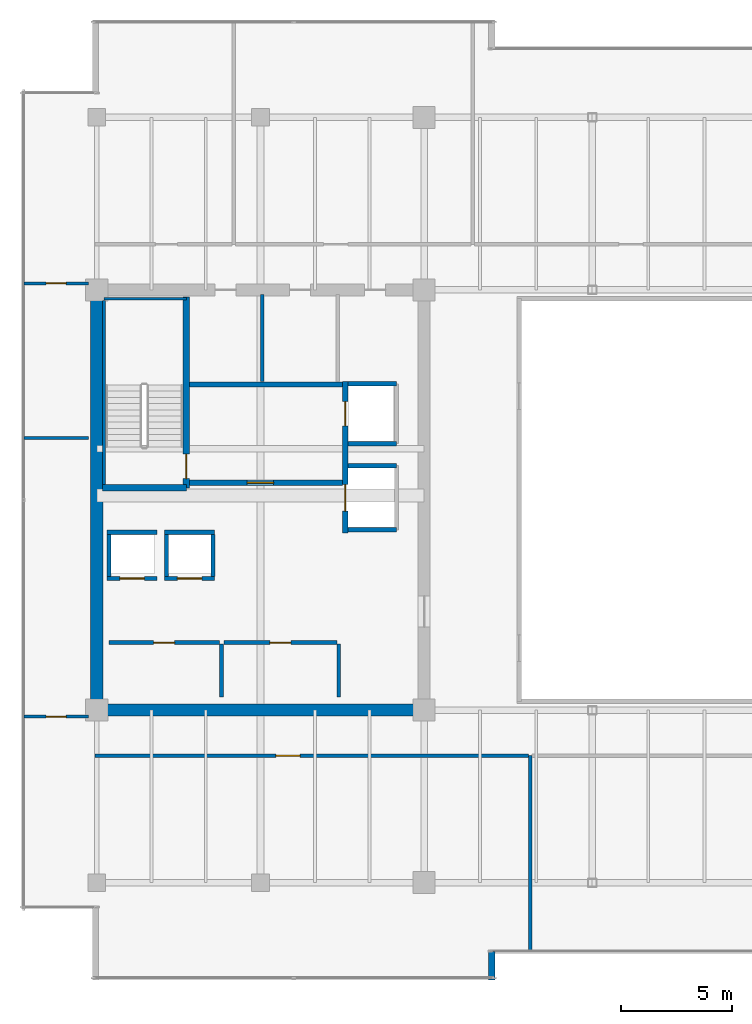
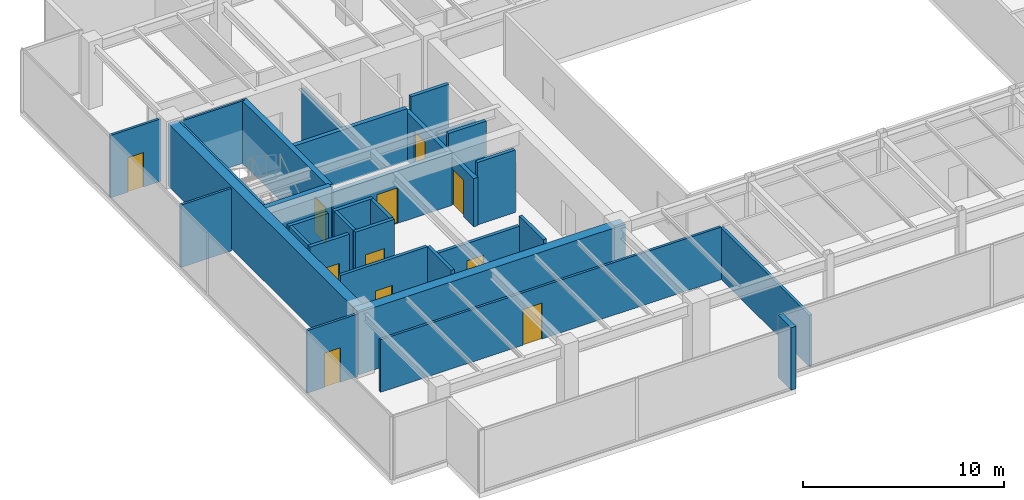
# One storey, part 28 of 33: 31 walls, 11 doors, 11 openings.
"""IFC4 building model written with IfcOpenShell, lengths in metres."""

from ifc_helpers import new_model, si_unit, direction, frame, frame_2d, origin, place, context, subcontext, project, spatial, rectangle, extrude, source, transform, mapped, material, layer, layer_set, type_object, type_shapes, element, fill, save


model = new_model("IFC4")

# Units and contexts
model_context = context("Model", 3, precision=1e-05, world=origin(), true_north=direction((0.0, 1.0)))
body_context = subcontext(model_context, "Body", "Model", "MODEL_VIEW")
ifc_project = project(units=[si_unit("LENGTHUNIT", "METRE"), si_unit("AREAUNIT", "SQUARE_METRE"), si_unit("VOLUMEUNIT", "CUBIC_METRE"), si_unit("PLANEANGLEUNIT", "RADIAN"), si_unit("MASSUNIT", "GRAM", prefix="KILO")], contexts=[model_context])

# Site, building, storey
site_placement = place(None, origin())
site = spatial("IfcSite", under=ifc_project, at=site_placement, CompositionType="ELEMENT")
building_placement = place(site_placement, origin())
building = spatial("IfcBuilding", under=site, at=building_placement, Name="Haelvirn Gate Laboratories", CompositionType="ELEMENT")
storey_placement = place(building_placement, frame((0.0, 0.0, 271.10009765625)))
storey = spatial("IfcBuildingStorey", under=building, at=storey_placement, Name="L65", CompositionType="ELEMENT", Elevation=271.10009765625)

# Walls
ifc_material_1 = material(Name="Thermally-broken bronze aluminium rainscreen & mineral wool", Category="aluminium")
ifc_layer_1 = layer(ifc_material_1, 0.280029296875, Name="EW-TERR-280")
ifc_layer_set_1 = layer_set([ifc_layer_1], Name="Thermally-broken bronze aluminium rainscreen & mineral wool")
wall_type_1 = type_object("IfcWallType", Name="EW-TERR-280", PredefinedType="STANDARD", material=ifc_layer_set_1)
wall_1_placement = place(storey_placement, frame((25.260009765625, 2.60009765625, 0.0), z_axis=(0.0, 0.0, 1.0), x_axis=(0.0, 1.0, 0.0)))
element("IfcWall", 1, at=wall_1_placement, inside=storey, type_object=wall_type_1, Name="L65 Atrium Recess Bronze Return Wall 01", PredefinedType="STANDARD", context=body_context, shape_type="SweptSolid", body=[
    extrude(rectangle(XDim=1.29296875, YDim=0.280029296875, at=frame_2d((0.646484375, 0.0))), origin(), (0.0, 0.0, 1.0), 3.7998046875),
])
ifc_material_2 = material(Name="Double-layer acoustic gypsum laboratory partition", Category="gypsum")
ifc_layer_2 = layer(ifc_material_2, 0.159912109375, Name="IW-ACOUST-160")
ifc_layer_set_2 = layer_set([ifc_layer_2], Name="Double-layer acoustic gypsum laboratory partition")
wall_type_2 = type_object("IfcWallType", Name="IW-ACOUST-160", PredefinedType="PARTITIONING", material=ifc_layer_set_2)
wall_2_placement = place(storey_placement, frame((27.0, 3.909912109375, 0.0), z_axis=(0.0, 0.0, 1.0), x_axis=(0.0, 1.0, 0.0)))
element("IfcWall", 2, at=wall_2_placement, inside=storey, type_object=wall_type_2, Name="L65 Interior Wall IW-L65-SDIV-01", PredefinedType="PARTITIONING", context=body_context, shape_type="SweptSolid", body=[
    extrude(rectangle(XDim=8.830078125, YDim=0.159912109375, at=frame_2d((4.4150390625, 0.0))), origin(), (0.0, 0.0, 1.0), 3.135009765625),
])

# Wall, opening, door
ifc_material_3 = material(Name="Acoustic mineral-wool gypsum board partition", Category="gypsum")
ifc_layer_3 = layer(ifc_material_3, 0.139892578125, Name="IW-PART-140")
ifc_layer_set_3 = layer_set([ifc_layer_3], Name="Acoustic mineral-wool gypsum board partition")
wall_type_3 = type_object("IfcWallType", Name="IW-PART-140", PredefinedType="PARTITIONING", material=ifc_layer_set_3)
wall_3_placement = place(storey_placement, frame((7.31005859375, 12.739990234375, 0.0), z_axis=(0.0, 0.0, 1.0), x_axis=(1.0, 0.0, 0.0)))
wall_3 = element("IfcWall", 3, at=wall_3_placement, inside=storey, type_object=wall_type_3, Name="L65 Interior Wall IW-L65-SCORR-01", PredefinedType="PARTITIONING", context=body_context, shape_type="SweptSolid", body=[
    extrude(rectangle(XDim=19.60986328125, YDim=0.139892578125, at=frame_2d((9.804931640625, 0.0))), origin(), (0.0, 0.0, 1.0), 3.197021484375),
])
opening_1_placement = place(wall_3_placement, frame((8.186279296875, 0.0, 0.0)))
opening_1 = element("IfcOpeningElement", 4, at=opening_1_placement, cuts=wall_3, Name="Opening D1", PredefinedType="OPENING", context=body_context, shape_type="SweptSolid", body=[
    extrude(rectangle(XDim=1.10009765625, YDim=2.179931640625, at=frame_2d((0.550048828125, 1.08984375))), frame((0.0, 0.080078125, 0.0), z_axis=(0.0, -1.0, 0.0), x_axis=(1.0, 0.0, 0.0)), (0.0, 0.0, 1.0), 0.159912109375),
])
ifc_material_4 = material(Name="Vision-panel acoustic solid-core timber lab door", Category="wood")
door_type_1 = type_object("IfcDoorType", Name="DR-LAB-1100", OperationType="NOTDEFINED", PredefinedType="DOOR", material=ifc_material_4)
shared_shape_1 = source(origin(), body_context, "Body", "SweptSolid", [
    extrude(rectangle(XDim=1.10009765625, YDim=2.179931640625, at=frame_2d((0.550048828125, 1.08984375))), frame((0.0, 0.02490234375, 0.0), z_axis=(0.0, -1.0, 0.0), x_axis=(1.0, 0.0, 0.0)), (0.0, 0.0, 1.0), 0.050048828125),
])
type_shapes(door_type_1, [shared_shape_1])
door_1_placement = place(opening_1_placement, origin())
door_1 = element("IfcDoor", 5, at=door_1_placement, inside=storey, type_object=door_type_1, Name="L65 Translational Data Office Door S1", OperationType="SINGLE_SWING_RIGHT", OverallHeight=2.179931640625, OverallWidth=1.10009765625, PredefinedType="DOOR", context=body_context, shape_type="MappedRepresentation", body=[
    mapped(shared_shape_1, transform((0.0, 0.0, 0.0), scale=1.0)),
])
fill(opening_1, door_1)

# Wall
wall_4_placement = place(storey_placement, frame((4.110107421875, 27.10009765625, 0.0), z_axis=(0.0, 0.0, 1.0), x_axis=(1.0, 0.0, 0.0)))
element("IfcWall", 6, at=wall_4_placement, inside=storey, type_object=wall_type_3, Name="L65 Interior Wall IW-L65-WZ3-MID", PredefinedType="PARTITIONING", context=body_context, shape_type="SweptSolid", body=[
    extrude(rectangle(XDim=2.909912109375, YDim=0.139892578125, at=frame_2d((1.455078125, 0.0))), origin(), (0.0, 0.0, 1.0), 3.7998046875),
])

# Wall, opening, door
wall_5_placement = place(storey_placement, frame((4.110107421875, 14.5048828125, 0.0), z_axis=(0.0, 0.0, 1.0), x_axis=(1.0, 0.0, 0.0)))
wall_5 = element("IfcWall", 7, at=wall_5_placement, inside=storey, type_object=wall_type_3, Name="L65 Interior Wall IW-L65-WZ3-ENT-S", PredefinedType="PARTITIONING", context=body_context, shape_type="SweptSolid", body=[
    extrude(rectangle(XDim=2.909912109375, YDim=0.139892578125, at=frame_2d((1.455078125, 0.0))), origin(), (0.0, 0.0, 1.0), 3.7998046875),
])
opening_2_placement = place(wall_5_placement, frame((1.0048828125, 0.0, 0.0)))
opening_2 = element("IfcOpeningElement", 8, at=opening_2_placement, cuts=wall_5, Name="Opening D4", PredefinedType="OPENING", context=body_context, shape_type="SweptSolid", body=[
    extrude(rectangle(XDim=0.89990234375, YDim=2.10009765625, at=frame_2d((0.449951171875, 1.050048828125))), frame((0.0, 0.080078125, 0.0), z_axis=(0.0, -1.0, 0.0), x_axis=(1.0, 0.0, 0.0)), (0.0, 0.0, 1.0), 0.159912109375),
])
ifc_material_5 = material(Name="Glazed aluminium-framed write-up door", Category="aluminium")
door_type_2 = type_object("IfcDoorType", Name="DR-OFF-900", OperationType="NOTDEFINED", PredefinedType="DOOR", material=ifc_material_5)
shared_shape_2 = source(origin(), body_context, "Body", "SweptSolid", [
    extrude(rectangle(XDim=0.89990234375, YDim=2.10009765625, at=frame_2d((0.449951171875, 1.050048828125))), frame((0.0, 0.02490234375, 0.0), z_axis=(0.0, -1.0, 0.0), x_axis=(1.0, 0.0, 0.0)), (0.0, 0.0, 1.0), 0.050048828125),
])
type_shapes(door_type_2, [shared_shape_2])
door_2_placement = place(opening_2_placement, origin())
door_2 = element("IfcDoor", 9, at=door_2_placement, inside=storey, type_object=door_type_2, Name="L65 Floor Hydration & Tea Servery Door W-S", OperationType="SINGLE_SWING_LEFT", OverallHeight=2.10009765625, OverallWidth=0.89990234375, PredefinedType="DOOR", context=body_context, shape_type="MappedRepresentation", body=[
    mapped(shared_shape_2, transform((0.0, 0.0, 0.0), scale=1.0)),
])
fill(opening_2, door_2)

wall_6_placement = place(storey_placement, frame((4.110107421875, 34.094970703125, 0.0), z_axis=(0.0, 0.0, 1.0), x_axis=(1.0, 0.0, 0.0)))
wall_6 = element("IfcWall", 10, at=wall_6_placement, inside=storey, type_object=wall_type_3, Name="L65 Interior Wall IW-L65-WZ3-ENT-N", PredefinedType="PARTITIONING", context=body_context, shape_type="SweptSolid", body=[
    extrude(rectangle(XDim=2.909912109375, YDim=0.139892578125, at=frame_2d((1.455078125, 0.0))), origin(), (0.0, 0.0, 1.0), 3.7998046875),
])
opening_3_placement = place(wall_6_placement, frame((1.0048828125, 0.0, 0.0)))
opening_3 = element("IfcOpeningElement", 11, at=opening_3_placement, cuts=wall_6, Name="Opening D4", PredefinedType="OPENING", context=body_context, shape_type="SweptSolid", body=[
    extrude(rectangle(XDim=0.89990234375, YDim=2.10009765625, at=frame_2d((0.449951171875, 1.050048828125))), frame((0.0, 0.080078125, 0.0), z_axis=(0.0, -1.0, 0.0), x_axis=(1.0, 0.0, 0.0)), (0.0, 0.0, 1.0), 0.159912109375),
])
door_3_placement = place(opening_3_placement, origin())
door_3 = element("IfcDoor", 12, at=door_3_placement, inside=storey, type_object=door_type_2, Name="L65 Floor Hydration & Tea Servery Door W-N", OperationType="SINGLE_SWING_RIGHT", OverallHeight=2.10009765625, OverallWidth=0.89990234375, PredefinedType="DOOR", context=body_context, shape_type="MappedRepresentation", body=[
    mapped(shared_shape_2, transform((0.0, 0.0, 0.0), scale=1.0)),
])
fill(opening_3, door_3)

# Walls
ifc_material_6 = material(Name="Cement-board restroom plumbing chase wall", Category="gypsum")
ifc_layer_4 = layer(ifc_material_6, 0.155029296875, Name="IW-PLUMB-160")
ifc_layer_set_4 = layer_set([ifc_layer_4], Name="Cement-board restroom plumbing chase wall")
wall_type_4 = type_object("IfcWallType", Name="IW-PLUMB-160", PredefinedType="PLUMBINGWALL", material=ifc_layer_set_4)
wall_7_placement = place(storey_placement, frame((14.889892578125, 29.64990234375, 0.0), z_axis=(0.0, 0.0, 1.0), x_axis=(0.0, 1.0, 0.0)))
element("IfcWall", 13, at=wall_7_placement, inside=storey, type_object=wall_type_4, Name="L65 Interior Wall IW-L65-W-CDIV-1", PredefinedType="PLUMBINGWALL", context=body_context, shape_type="SweptSolid", body=[
    extrude(rectangle(XDim=3.93017578125, YDim=0.155029296875, at=frame_2d((1.965087890625, 0.0))), origin(), (0.0, 0.0, 1.0), 3.197021484375),
])
ifc_material_7 = material(Name="Concrete C40/50", Category="concrete")
ifc_layer_5 = layer(ifc_material_7, 0.179931640625, Name="IW-SHAFT-180")
ifc_layer_set_5 = layer_set([ifc_layer_5], Name="Concrete C40/50")
wall_type_5 = type_object("IfcWallType", Name="IW-SHAFT-180", PredefinedType="SOLIDWALL", material=ifc_layer_set_5)
for number, where, z_axis, x_axis, name in (
    (14, (7.949951171875, 20.85009765625, 0.0), (0.0, 0.0, 1.0), (0.0, 1.0, 0.0), "L65 Interior Wall IW-L65-PL9-SD"),
    (15, (10.550048828125, 20.85009765625, 0.0), (0.0, 0.0, 1.0), (0.0, 1.0, 0.0), "L65 Interior Wall IW-L65-PL10-SD"),
    (16, (12.64990234375, 20.85009765625, 0.0), (0.0, 0.0, 1.0), (0.0, 1.0, 0.0), "L65 Interior Wall IW-L65-PL10-SDE"),
):
    element("IfcWall", number, at=place(storey_placement, frame(where, z_axis=z_axis, x_axis=x_axis)), inside=storey, type_object=wall_type_5, Name=name, PredefinedType="SOLIDWALL", context=body_context, shape_type="SweptSolid", body=[
        extrude(rectangle(XDim=1.89990234375, YDim=0.179931640625, at=frame_2d((0.949951171875, 0.0))), origin(), (0.0, 0.0, 1.0), 3.7998046875),
    ])

# Wall, opening, door
wall_8_placement = place(storey_placement, frame((7.949951171875, 17.85009765625, 0.0), z_axis=(0.0, 0.0, 1.0), x_axis=(1.0, 0.0, 0.0)))
wall_8 = element("IfcWall", 17, at=wall_8_placement, inside=storey, type_object=wall_type_5, Name="L65 Interior Wall IW-L65-W-FREED-HN-1", PredefinedType="SOLIDWALL", context=body_context, shape_type="SweptSolid", body=[
    extrude(rectangle(XDim=5.0, YDim=0.179931640625, at=frame_2d((2.5, 0.0))), origin(), (0.0, 0.0, 1.0), 3.7998046875),
])
opening_4_placement = place(wall_8_placement, frame((2.02490234375, 0.0, 0.0)))
opening_4 = element("IfcOpeningElement", 18, at=opening_4_placement, cuts=wall_8, Name="Opening FD4", PredefinedType="OPENING", context=body_context, shape_type="SweptSolid", body=[
    extrude(rectangle(XDim=0.949951171875, YDim=2.14990234375, at=frame_2d((0.47509765625, 1.074951171875))), frame((0.0, 0.10009765625, 0.0), z_axis=(0.0, -1.0, 0.0), x_axis=(1.0, 0.0, 0.0)), (0.0, 0.0, 1.0), 0.199951171875),
])
ifc_material_8 = material(Name="Fire-rated steel SM355 core service door", Category="steel")
door_type_3 = type_object("IfcDoorType", Name="DR-FD-950", OperationType="NOTDEFINED", PredefinedType="DOOR", material=ifc_material_8)
shared_shape_3 = source(origin(), body_context, "Body", "SweptSolid", [
    extrude(rectangle(XDim=0.949951171875, YDim=2.14990234375, at=frame_2d((0.47509765625, 1.074951171875))), frame((0.0, 0.02490234375, 0.0), z_axis=(0.0, -1.0, 0.0), x_axis=(1.0, 0.0, 0.0)), (0.0, 0.0, 1.0), 0.050048828125),
])
type_shapes(door_type_3, [shared_shape_3])
door_4_placement = place(opening_4_placement, origin())
door_4 = element("IfcDoor", 19, at=door_4_placement, inside=storey, type_object=door_type_3, Name="L65 Cryogenic Specimen Biobank Door", OperationType="SINGLE_SWING_LEFT", OverallHeight=2.14990234375, OverallWidth=0.949951171875, PredefinedType="DOOR", context=body_context, shape_type="MappedRepresentation", body=[
    mapped(shared_shape_3, transform((0.0, 0.0, 0.0), scale=1.0)),
])
fill(opening_4, door_4)

# Wall
wall_9_placement = place(storey_placement, frame((13.0400390625, 15.39990234375, 0.0), z_axis=(0.0, 0.0, 1.0), x_axis=(0.0, 1.0, 0.0)))
element("IfcWall", 20, at=wall_9_placement, inside=storey, type_object=wall_type_5, Name="L65 Interior Wall IW-L65-W-FREED-HE-1", PredefinedType="SOLIDWALL", context=body_context, shape_type="SweptSolid", body=[
    extrude(rectangle(XDim=2.400146484375, YDim=0.179931640625, at=frame_2d((1.2001953125, 0.0))), origin(), (0.0, 0.0, 1.0), 3.7998046875),
])

# Wall, opening, door
wall_10_placement = place(storey_placement, frame((13.14990234375, 17.85009765625, 0.0), z_axis=(0.0, 0.0, 1.0), x_axis=(1.0, 0.0, 0.0)))
wall_10 = element("IfcWall", 21, at=wall_10_placement, inside=storey, type_object=wall_type_5, Name="L65 Interior Wall IW-L65-W-FREED-HN-2", PredefinedType="SOLIDWALL", context=body_context, shape_type="SweptSolid", body=[
    extrude(rectangle(XDim=5.10009765625, YDim=0.179931640625, at=frame_2d((2.550048828125, 0.0))), origin(), (0.0, 0.0, 1.0), 3.197021484375),
])
opening_5_placement = place(wall_10_placement, frame((2.074951171875, 0.0, 0.0)))
opening_5 = element("IfcOpeningElement", 22, at=opening_5_placement, cuts=wall_10, Name="Opening FD4", PredefinedType="OPENING", context=body_context, shape_type="SweptSolid", body=[
    extrude(rectangle(XDim=0.949951171875, YDim=2.14990234375, at=frame_2d((0.47509765625, 1.074951171875))), frame((0.0, 0.10009765625, 0.0), z_axis=(0.0, -1.0, 0.0), x_axis=(1.0, 0.0, 0.0)), (0.0, 0.0, 1.0), 0.199951171875),
])
door_5_placement = place(opening_5_placement, origin())
door_5 = element("IfcDoor", 23, at=door_5_placement, inside=storey, type_object=door_type_3, Name="L65 Cryo-Assay Preparation Laboratory Door", OperationType="SINGLE_SWING_RIGHT", OverallHeight=2.14990234375, OverallWidth=0.949951171875, PredefinedType="DOOR", context=body_context, shape_type="MappedRepresentation", body=[
    mapped(shared_shape_3, transform((0.0, 0.0, 0.0), scale=1.0)),
])
fill(opening_5, door_5)

# Wall
wall_11_placement = place(storey_placement, frame((18.340087890625, 15.39990234375, 0.0), z_axis=(0.0, 0.0, 1.0), x_axis=(0.0, 1.0, 0.0)))
element("IfcWall", 24, at=wall_11_placement, inside=storey, type_object=wall_type_5, Name="L65 Interior Wall IW-L65-W-FREED-HE-2", PredefinedType="SOLIDWALL", context=body_context, shape_type="SweptSolid", body=[
    extrude(rectangle(XDim=2.400146484375, YDim=0.179931640625, at=frame_2d((1.2001953125, 0.0))), origin(), (0.0, 0.0, 1.0), 3.7998046875),
])

# Wall, opening, door
ifc_layer_6 = layer(ifc_material_7, 0.199951171875, Name="IW-SHAFT-200")
ifc_layer_set_6 = layer_set([ifc_layer_6], Name="Concrete C40/50")
wall_type_6 = type_object("IfcWallType", Name="IW-SHAFT-200", PredefinedType="SOLIDWALL", material=ifc_layer_set_6)
wall_12_placement = place(storey_placement, frame((7.8701171875, 20.75, 0.0), z_axis=(0.0, 0.0, 1.0), x_axis=(1.0, 0.0, 0.0)))
wall_12 = element("IfcWall", 25, at=wall_12_placement, inside=storey, type_object=wall_type_6, Name="L65 Interior Wall IW-L65-PL9-FR", PredefinedType="SOLIDWALL", context=body_context, shape_type="SweptSolid", body=[
    extrude(rectangle(XDim=2.259765625, YDim=0.199951171875, at=frame_2d((1.1298828125, 0.0))), origin(), (0.0, 0.0, 1.0), 3.7998046875),
])
opening_6_placement = place(wall_12_placement, frame((0.580078125, 0.0, 0.0)))
opening_6 = element("IfcOpeningElement", 26, at=opening_6_placement, cuts=wall_12, Name="Opening LD2", PredefinedType="OPENING", context=body_context, shape_type="SweptSolid", body=[
    extrude(rectangle(XDim=1.10009765625, YDim=2.219970703125, at=frame_2d((0.550048828125, 1.10986328125))), frame((0.0, 0.10986328125, 0.0), z_axis=(0.0, -1.0, 0.0), x_axis=(1.0, 0.0, 0.0)), (0.0, 0.0, 1.0), 0.219970703125),
])
ifc_material_9 = material(Name="Bronze stainless 316L sliding lift landing door")
door_type_4 = type_object("IfcDoorType", Name="DR-LD-1100", OperationType="NOTDEFINED", PredefinedType="USERDEFINED", material=ifc_material_9)
shared_shape_4 = source(origin(), body_context, "Body", "SweptSolid", [
    extrude(rectangle(XDim=1.10009765625, YDim=2.219970703125, at=frame_2d((0.550048828125, 1.10986328125))), frame((0.0, 0.02490234375, 0.0), z_axis=(0.0, -1.0, 0.0), x_axis=(1.0, 0.0, 0.0)), (0.0, 0.0, 1.0), 0.050048828125),
])
type_shapes(door_type_4, [shared_shape_4])
door_6_placement = place(opening_6_placement, origin())
door_6 = element("IfcDoor", 27, at=door_6_placement, inside=storey, type_object=door_type_4, Name="L65 Passenger Lift PL9 Landing Door", ObjectType="LANDING_DOOR", OperationType="SLIDING_TO_LEFT", OverallHeight=2.219970703125, OverallWidth=1.10009765625, PredefinedType="USERDEFINED", context=body_context, shape_type="MappedRepresentation", body=[
    mapped(shared_shape_4, transform((0.0, 0.0, 0.0), scale=1.0)),
])
fill(opening_6, door_6)

# Wall
wall_13_placement = place(storey_placement, frame((7.8701171875, 22.85009765625, 0.0), z_axis=(0.0, 0.0, 1.0), x_axis=(1.0, 0.0, 0.0)))
element("IfcWall", 28, at=wall_13_placement, inside=storey, type_object=wall_type_6, Name="L65 Interior Wall IW-L65-PL9-BK", PredefinedType="SOLIDWALL", context=body_context, shape_type="SweptSolid", body=[
    extrude(rectangle(XDim=2.259765625, YDim=0.199951171875, at=frame_2d((1.1298828125, 0.0))), origin(), (0.0, 0.0, 1.0), 3.7998046875),
])

# Wall, opening, door
wall_14_placement = place(storey_placement, frame((10.469970703125, 20.75, 0.0), z_axis=(0.0, 0.0, 1.0), x_axis=(1.0, 0.0, 0.0)))
wall_14 = element("IfcWall", 29, at=wall_14_placement, inside=storey, type_object=wall_type_6, Name="L65 Interior Wall IW-L65-PL10-FR", PredefinedType="SOLIDWALL", context=body_context, shape_type="SweptSolid", body=[
    extrude(rectangle(XDim=2.260009765625, YDim=0.199951171875, at=frame_2d((1.1298828125, 0.0))), origin(), (0.0, 0.0, 1.0), 3.7998046875),
])
opening_7_placement = place(wall_14_placement, frame((0.580078125, 0.0, 0.0)))
opening_7 = element("IfcOpeningElement", 30, at=opening_7_placement, cuts=wall_14, Name="Opening LD2", PredefinedType="OPENING", context=body_context, shape_type="SweptSolid", body=[
    extrude(rectangle(XDim=1.10009765625, YDim=2.219970703125, at=frame_2d((0.550048828125, 1.10986328125))), frame((0.0, 0.10986328125, 0.0), z_axis=(0.0, -1.0, 0.0), x_axis=(1.0, 0.0, 0.0)), (0.0, 0.0, 1.0), 0.219970703125),
])
door_7_placement = place(opening_7_placement, origin())
door_7 = element("IfcDoor", 31, at=door_7_placement, inside=storey, type_object=door_type_4, Name="L65 Passenger Lift PL10 Landing Door", ObjectType="LANDING_DOOR", OperationType="SLIDING_TO_RIGHT", OverallHeight=2.219970703125, OverallWidth=1.10009765625, PredefinedType="USERDEFINED", context=body_context, shape_type="MappedRepresentation", body=[
    mapped(shared_shape_4, transform((0.0, 0.0, 0.0), scale=1.0)),
])
fill(opening_7, door_7)

# Walls
wall_15_placement = place(storey_placement, frame((10.469970703125, 22.85009765625, 0.0), z_axis=(0.0, 0.0, 1.0), x_axis=(1.0, 0.0, 0.0)))
element("IfcWall", 32, at=wall_15_placement, inside=storey, type_object=wall_type_6, Name="L65 Interior Wall IW-L65-PL10-BK", PredefinedType="SOLIDWALL", context=body_context, shape_type="SweptSolid", body=[
    extrude(rectangle(XDim=2.260009765625, YDim=0.199951171875, at=frame_2d((1.1298828125, 0.0))), origin(), (0.0, 0.0, 1.0), 3.7998046875),
])
wall_16_placement = place(storey_placement, frame((18.760009765625, 29.550048828125, 0.0), z_axis=(0.0, 0.0, 1.0), x_axis=(1.0, 0.0, 0.0)))
element("IfcWall", 33, at=wall_16_placement, inside=storey, type_object=wall_type_6, Name="L65 Interior Wall IW-L65-FL1-N", PredefinedType="SOLIDWALL", context=body_context, shape_type="SweptSolid", body=[
    extrude(rectangle(XDim=2.18994140625, YDim=0.199951171875, at=frame_2d((1.094970703125, 0.0))), origin(), (0.0, 0.0, 1.0), 3.7998046875),
])
wall_17_placement = place(storey_placement, frame((18.760009765625, 26.85009765625, 0.0), z_axis=(0.0, 0.0, 1.0), x_axis=(1.0, 0.0, 0.0)))
element("IfcWall", 34, at=wall_17_placement, inside=storey, type_object=wall_type_6, Name="L65 Interior Wall IW-L65-FL1-S", PredefinedType="SOLIDWALL", context=body_context, shape_type="SweptSolid", body=[
    extrude(rectangle(XDim=2.18994140625, YDim=0.199951171875, at=frame_2d((1.094970703125, 0.0))), origin(), (0.0, 0.0, 1.0), 3.197021484375),
])
for number, where, z_axis, x_axis, name in (
    (35, (18.760009765625, 25.85009765625, 0.0), (0.0, 0.0, 1.0), (1.0, 0.0, 0.0), "L65 Interior Wall IW-L65-SL1-N"),
    (36, (18.760009765625, 22.949951171875, 0.0), (0.0, 0.0, 1.0), (1.0, 0.0, 0.0), "L65 Interior Wall IW-L65-SL1-S"),
):
    element("IfcWall", number, at=place(storey_placement, frame(where, z_axis=z_axis, x_axis=x_axis)), inside=storey, type_object=wall_type_6, Name=name, PredefinedType="SOLIDWALL", context=body_context, shape_type="SweptSolid", body=[
        extrude(rectangle(XDim=2.18994140625, YDim=0.199951171875, at=frame_2d((1.094970703125, 0.0))), origin(), (0.0, 0.0, 1.0), 3.7998046875),
    ])

# Wall, opening, door
ifc_layer_7 = layer(ifc_material_7, 0.239990234375, Name="IW-SHAFT-240")
ifc_layer_set_7 = layer_set([ifc_layer_7], Name="Concrete C40/50")
wall_type_7 = type_object("IfcWallType", Name="IW-SHAFT-240", PredefinedType="SOLIDWALL", material=ifc_layer_set_7)
wall_18_placement = place(storey_placement, frame((11.60009765625, 25.080078125, 0.0), z_axis=(0.0, 0.0, 1.0), x_axis=(1.0, 0.0, 0.0)))
wall_18 = element("IfcWall", 37, at=wall_18_placement, inside=storey, type_object=wall_type_7, Name="L65 Interior Wall IW-L65-W-FF-S", PredefinedType="SOLIDWALL", context=body_context, shape_type="SweptSolid", body=[
    extrude(rectangle(XDim=6.919921875, YDim=0.239990234375, at=frame_2d((3.4599609375, 0.0))), origin(), (0.0, 0.0, 1.0), 3.197021484375),
])
opening_8_placement = place(wall_18_placement, frame((2.60009765625, 0.0, 0.0)))
opening_8 = element("IfcOpeningElement", 38, at=opening_8_placement, cuts=wall_18, Name="Opening FD2", PredefinedType="OPENING", context=body_context, shape_type="SweptSolid", body=[
    extrude(rectangle(XDim=1.199951171875, YDim=2.159912109375, at=frame_2d((0.60009765625, 1.080078125))), frame((0.0, 0.1298828125, 0.0), z_axis=(0.0, -1.0, 0.0), x_axis=(1.0, 0.0, 0.0)), (0.0, 0.0, 1.0), 0.260009765625),
])
ifc_material_10 = material(Name="Fire-rated steel SM355 compartment door", Category="steel")
door_type_5 = type_object("IfcDoorType", Name="DR-FD-1200", OperationType="NOTDEFINED", PredefinedType="DOOR", material=ifc_material_10)
shared_shape_5 = source(origin(), body_context, "Body", "SweptSolid", [
    extrude(rectangle(XDim=1.199951171875, YDim=2.159912109375, at=frame_2d((0.60009765625, 1.080078125))), frame((0.0, 0.02490234375, 0.0), z_axis=(0.0, -1.0, 0.0), x_axis=(1.0, 0.0, 0.0)), (0.0, 0.0, 1.0), 0.050048828125),
])
type_shapes(door_type_5, [shared_shape_5])
door_8_placement = place(opening_8_placement, origin())
door_8 = element("IfcDoor", 39, at=door_8_placement, inside=storey, type_object=door_type_5, Name="L65 West Firefighting Lobby Door", OperationType="SINGLE_SWING_RIGHT", OverallHeight=2.159912109375, OverallWidth=1.199951171875, PredefinedType="DOOR", context=body_context, shape_type="MappedRepresentation", body=[
    mapped(shared_shape_5, transform((0.0, 0.0, 0.0), scale=1.0)),
])
fill(opening_8, door_8)

# Wall
wall_19_placement = place(storey_placement, frame((11.60009765625, 29.52001953125, 0.0), z_axis=(0.0, 0.0, 1.0), x_axis=(1.0, 0.0, 0.0)))
element("IfcWall", 40, at=wall_19_placement, inside=storey, type_object=wall_type_7, Name="L65 Interior Wall IW-L65-W-FF-N", PredefinedType="SOLIDWALL", context=body_context, shape_type="SweptSolid", body=[
    extrude(rectangle(XDim=6.919921875, YDim=0.239990234375, at=frame_2d((3.4599609375, 0.0))), origin(), (0.0, 0.0, 1.0), 3.197021484375),
])

# Wall, openings, doors
wall_20_placement = place(storey_placement, frame((18.639892578125, 22.800048828125, 0.0), z_axis=(0.0, 0.0, 1.0), x_axis=(0.0, 1.0, 0.0)))
wall_20 = element("IfcWall", 41, at=wall_20_placement, inside=storey, type_object=wall_type_7, Name="L65 Interior Wall IW-L65-W-FF-E", PredefinedType="SOLIDWALL", context=body_context, shape_type="SweptSolid", body=[
    extrude(rectangle(XDim=6.849853515625, YDim=0.239990234375, at=frame_2d((3.4248046875, 0.0))), origin(), (0.0, 0.0, 1.0), 2.934814453125),
])
opening_9_placement = place(wall_20_placement, frame((4.85009765625, 0.0, 0.0)))
opening_9 = element("IfcOpeningElement", 42, at=opening_9_placement, cuts=wall_20, Name="Opening LD2", PredefinedType="OPENING", context=body_context, shape_type="SweptSolid", body=[
    extrude(rectangle(XDim=1.10009765625, YDim=2.219970703125, at=frame_2d((0.550048828125, 1.10986328125))), frame((0.0, 0.1298828125, 0.0), z_axis=(0.0, -1.0, 0.0), x_axis=(1.0, 0.0, 0.0)), (0.0, 0.0, 1.0), 0.260009765625),
])
opening_10_placement = place(wall_20_placement, frame((1.0, 0.0, 0.0)))
opening_10 = element("IfcOpeningElement", 43, at=opening_10_placement, cuts=wall_20, Name="Opening LD1", PredefinedType="OPENING", context=body_context, shape_type="SweptSolid", body=[
    extrude(rectangle(XDim=1.199951171875, YDim=2.219970703125, at=frame_2d((0.60009765625, 1.10986328125))), frame((0.0, 0.1298828125, 0.0), z_axis=(0.0, -1.0, 0.0), x_axis=(1.0, 0.0, 0.0)), (0.0, 0.0, 1.0), 0.260009765625),
])
door_9_placement = place(opening_9_placement, origin())
door_9 = element("IfcDoor", 44, at=door_9_placement, inside=storey, type_object=door_type_4, Name="L65 Firefighting Lift FL1 Landing Door", ObjectType="LANDING_DOOR", OperationType="SLIDING_TO_LEFT", OverallHeight=2.219970703125, OverallWidth=1.10009765625, PredefinedType="USERDEFINED", context=body_context, shape_type="MappedRepresentation", body=[
    mapped(shared_shape_4, transform((0.0, 0.0, 0.0), scale=1.0)),
])
fill(opening_9, door_9)
ifc_material_11 = material(Name="Stainless steel 316L sliding goods landing door", Category="steel")
door_type_6 = type_object("IfcDoorType", Name="DR-LD-1200", OperationType="NOTDEFINED", PredefinedType="USERDEFINED", material=ifc_material_11)
shared_shape_6 = source(origin(), body_context, "Body", "SweptSolid", [
    extrude(rectangle(XDim=1.199951171875, YDim=2.219970703125, at=frame_2d((0.60009765625, 1.10986328125))), frame((0.0, 0.02490234375, 0.0), z_axis=(0.0, -1.0, 0.0), x_axis=(1.0, 0.0, 0.0)), (0.0, 0.0, 1.0), 0.050048828125),
])
type_shapes(door_type_6, [shared_shape_6])
door_10_placement = place(opening_10_placement, origin())
door_10 = element("IfcDoor", 45, at=door_10_placement, inside=storey, type_object=door_type_6, Name="L65 Service Lift SL1 Landing Door", ObjectType="LANDING_DOOR", OperationType="SLIDING_TO_RIGHT", OverallHeight=2.219970703125, OverallWidth=1.199951171875, PredefinedType="USERDEFINED", context=body_context, shape_type="MappedRepresentation", body=[
    mapped(shared_shape_6, transform((0.0, 0.0, 0.0), scale=1.0)),
])
fill(opening_10, door_10)

# Walls
ifc_material_12 = material(Name="Concrete C50/60", Category="concrete")
ifc_layer_8 = layer(ifc_material_12, 0.550048828125, Name="SW-CORE-550")
ifc_layer_set_8 = layer_set([ifc_layer_8], Name="Concrete C50/60")
wall_type_8 = type_object("IfcWallType", Name="SW-CORE-550", PredefinedType="SHEAR", material=ifc_layer_set_8)
wall_21_placement = place(storey_placement, frame((7.125, 14.800048828125, 0.0), z_axis=(0.0, 0.0, 1.0), x_axis=(1.0, 0.0, 0.0)))
element("IfcWall", 46, at=wall_21_placement, inside=storey, type_object=wall_type_8, Name="L65 W Core Shear Wall S", PredefinedType="SHEAR", context=body_context, shape_type="SweptSolid", body=[
    extrude(rectangle(XDim=15.35009765625, YDim=0.550048828125, at=frame_2d((7.675048828125, 0.0))), origin(), (0.0, 0.0, 1.0), 3.7998046875),
])
wall_22_placement = place(storey_placement, frame((7.39990234375, 15.074951171875, 0.0), z_axis=(0.0, 0.0, 1.0), x_axis=(0.0, 1.0, 0.0)))
element("IfcWall", 47, at=wall_22_placement, inside=storey, type_object=wall_type_8, Name="L65 W Core Shear Wall W", PredefinedType="SHEAR", context=body_context, shape_type="SweptSolid", body=[
    extrude(rectangle(XDim=18.449951171875, YDim=0.550048828125, at=frame_2d((9.22509765625, 0.0))), origin(), (0.0, 0.0, 1.0), 3.7998046875),
])
ifc_layer_9 = layer(ifc_material_12, 0.1201171875, Name="SW-LINER-120")
ifc_layer_set_9 = layer_set([ifc_layer_9], Name="Concrete C50/60")
wall_type_9 = type_object("IfcWallType", Name="SW-LINER-120", PredefinedType="SOLIDWALL", material=ifc_layer_set_9)
wall_23_placement = place(storey_placement, frame((7.72998046875, 33.39990234375, 0.0), z_axis=(0.0, 0.0, 1.0), x_axis=(1.0, 0.0, 0.0)))
element("IfcWall", 48, at=wall_23_placement, inside=storey, type_object=wall_type_9, Name="L65 W Core Stair Shaft Liner Wall N", PredefinedType="SOLIDWALL", context=body_context, shape_type="SweptSolid", body=[
    extrude(rectangle(XDim=3.719970703125, YDim=0.1201171875, at=frame_2d((1.85986328125, 0.0))), origin(), (0.0, 0.0, 1.0), 3.7998046875),
])
wall_24_placement = place(storey_placement, frame((7.72998046875, 25.0, 0.0), z_axis=(0.0, 0.0, 1.0), x_axis=(0.0, 1.0, 0.0)))
element("IfcWall", 49, at=wall_24_placement, inside=storey, type_object=wall_type_9, Name="L65 W Core Stair Shaft Liner Wall OUT", PredefinedType="SOLIDWALL", context=body_context, shape_type="SweptSolid", body=[
    extrude(rectangle(XDim=8.320068359375, YDim=0.1201171875, at=frame_2d((4.16015625, 0.0))), origin(), (0.0, 0.0, 1.0), 3.7998046875),
])

# Wall, opening, door
ifc_layer_10 = layer(ifc_material_12, 0.300048828125, Name="SW-STAIR-300")
ifc_layer_set_10 = layer_set([ifc_layer_10], Name="Concrete C50/60")
wall_type_10 = type_object("IfcWallType", Name="SW-STAIR-300", PredefinedType="SHEAR", material=ifc_layer_set_10)
wall_25_placement = place(storey_placement, frame((11.449951171875, 24.85009765625, 0.0), z_axis=(0.0, 0.0, 1.0), x_axis=(0.0, 1.0, 0.0)))
wall_25 = element("IfcWall", 50, at=wall_25_placement, inside=storey, type_object=wall_type_10, Name="L65 W Core Stair Shaft Structural Wall IN", PredefinedType="SHEAR", context=body_context, shape_type="SweptSolid", body=[
    extrude(rectangle(XDim=8.6298828125, YDim=0.300048828125, at=frame_2d((4.31494140625, 0.0))), origin(), (0.0, 0.0, 1.0), 3.7998046875),
])
opening_11_placement = place(wall_25_placement, frame((0.419921875, 0.0, 0.0)))
opening_11 = element("IfcOpeningElement", 51, at=opening_11_placement, cuts=wall_25, Name="Opening FD3", PredefinedType="OPENING", context=body_context, shape_type="SweptSolid", body=[
    extrude(rectangle(XDim=1.10009765625, YDim=2.14990234375, at=frame_2d((0.550048828125, 1.074951171875))), frame((0.0, 0.16015625, 0.0), z_axis=(0.0, -1.0, 0.0), x_axis=(1.0, 0.0, 0.0)), (0.0, 0.0, 1.0), 0.320068359375),
])
ifc_material_13 = material(Name="Fire-rated steel SM355 escape stair door", Category="steel")
door_type_7 = type_object("IfcDoorType", Name="DR-FD-1100", OperationType="NOTDEFINED", PredefinedType="DOOR", material=ifc_material_13)
shared_shape_7 = source(origin(), body_context, "Body", "SweptSolid", [
    extrude(rectangle(XDim=1.10009765625, YDim=2.14990234375, at=frame_2d((0.550048828125, 1.074951171875))), frame((0.0, 0.02490234375, 0.0), z_axis=(0.0, -1.0, 0.0), x_axis=(1.0, 0.0, 0.0)), (0.0, 0.0, 1.0), 0.050048828125),
])
type_shapes(door_type_7, [shared_shape_7])
door_11_placement = place(opening_11_placement, origin())
door_11 = element("IfcDoor", 52, at=door_11_placement, inside=storey, type_object=door_type_7, Name="L65 Escape Stair ST1 Fire Door", OperationType="SINGLE_SWING_LEFT", OverallHeight=2.14990234375, OverallWidth=1.10009765625, PredefinedType="DOOR", context=body_context, shape_type="MappedRepresentation", body=[
    mapped(shared_shape_7, transform((0.0, 0.0, 0.0), scale=1.0)),
])
fill(opening_11, door_11)

# Wall
wall_26_placement = place(storey_placement, frame((7.64990234375, 24.85009765625, 0.0), z_axis=(0.0, 0.0, 1.0), x_axis=(1.0, 0.0, 0.0)))
element("IfcWall", 53, at=wall_26_placement, inside=storey, type_object=wall_type_10, Name="L65 W Core Stair Shaft Structural Wall S", PredefinedType="SHEAR", context=body_context, shape_type="SweptSolid", body=[
    extrude(rectangle(XDim=3.800048828125, YDim=0.300048828125, at=frame_2d((1.89990234375, 0.0))), origin(), (0.0, 0.0, 1.0), 3.7998046875),
])

save(model, "model.ifc")
